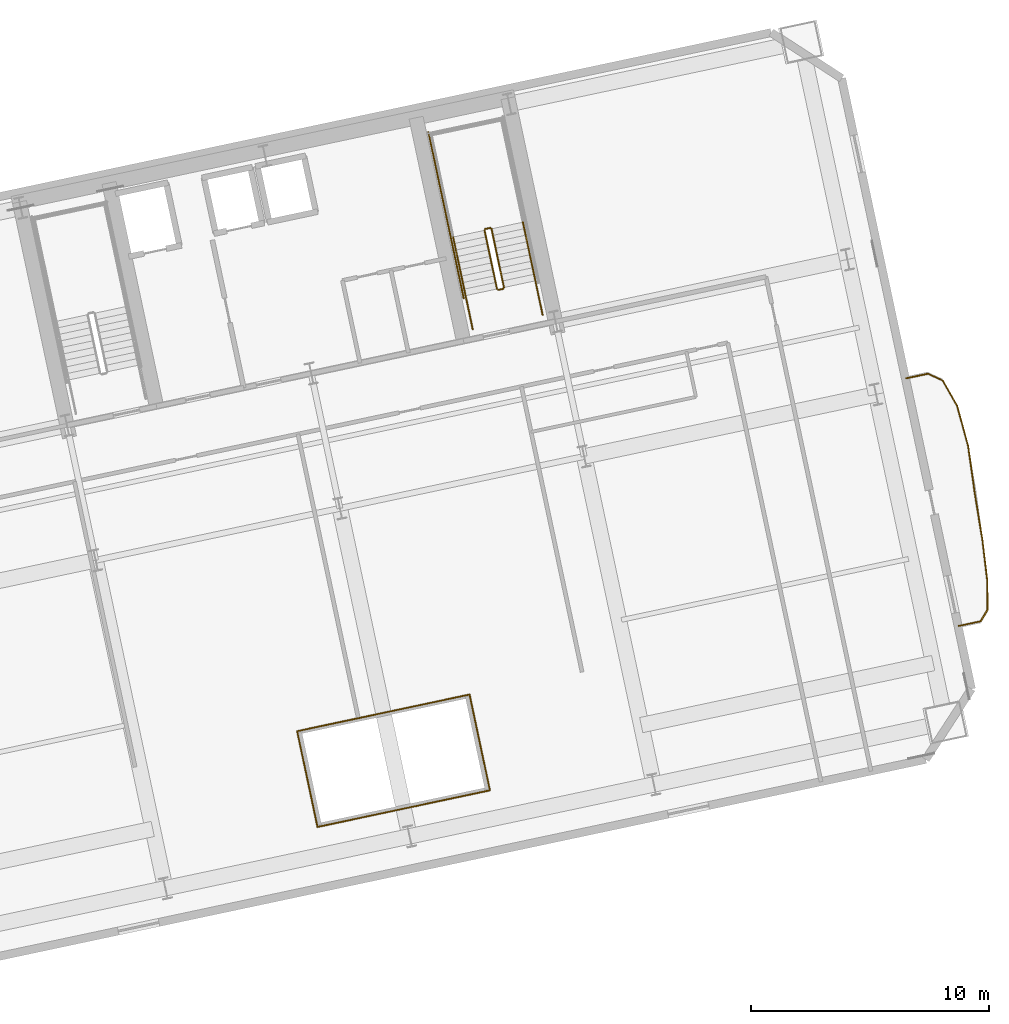
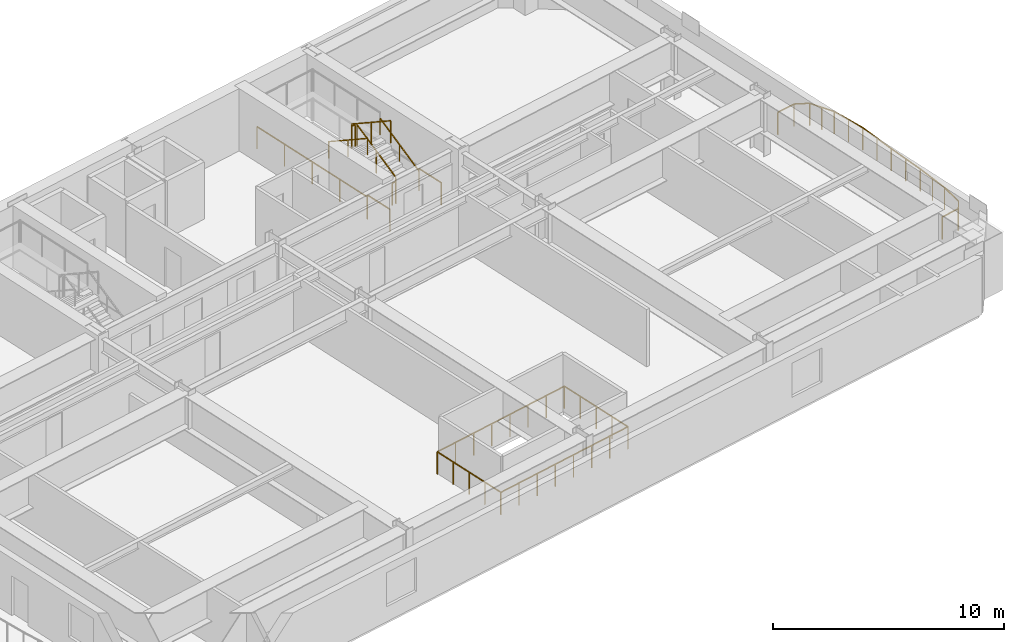
# One storey, part 17 of 18: 23 railings.
"""IFC4 building model written with IfcOpenShell, lengths in metres."""

from ifc_helpers import new_model, si_unit, direction, frame, origin, origin_2d, place, context, subcontext, project, spatial, rectangle, extrude, material, type_object, element, save


model = new_model("IFC4")

# Units and contexts
model_context = context("Model", 3, precision=1e-05, world=origin(), true_north=direction((0.0, 1.0)))
body_context = subcontext(model_context, "Body", "Model", "MODEL_VIEW")
ifc_project = project(units=[si_unit("LENGTHUNIT", "METRE"), si_unit("AREAUNIT", "SQUARE_METRE"), si_unit("VOLUMEUNIT", "CUBIC_METRE"), si_unit("PLANEANGLEUNIT", "RADIAN"), si_unit("MASSUNIT", "GRAM", prefix="KILO")], contexts=[model_context])

# Site, building, storey
site_placement = place(None, origin())
site = spatial("IfcSite", under=ifc_project, at=site_placement, CompositionType="ELEMENT")
building_placement = place(site_placement, origin())
building = spatial("IfcBuilding", under=site, at=building_placement, Name="Haevon Station Towers", CompositionType="ELEMENT")
storey_placement = place(building_placement, frame((0.0, 0.0, 66.89990234375)))
storey = spatial("IfcBuildingStorey", under=building, at=storey_placement, Name="L17", CompositionType="ELEMENT", Elevation=66.89990234375)

# Railings
ifc_material = material(Name="Steel S355", Category="steel")
railing_type_1 = type_object("IfcRailingType", Name="BAL-ATR1200", PredefinedType="BALUSTRADE", material=ifc_material)
railing_1_placement = place(storey_placement, frame((109.28857421875, 20.5556640625, 0.0)))
element("IfcRailing", 1, at=railing_1_placement, inside=storey, type_object=railing_type_1, Name="L17 Atrium Void Balustrade 1", PredefinedType="BALUSTRADE", context=body_context, shape_type="SweptSolid", body=[
    extrude(rectangle(XDim=0.048095703125, YDim=0.048095703125, at=origin_2d()), frame((0.0, 0.0, 1.17578125), z_axis=(0.978143440909, 0.207931260293, 0.0), x_axis=(-0.207931260293, 0.978143440909, 0.0)), (0.0, 0.0, 1.0), 7.409912109375),
    extrude(rectangle(XDim=0.0419921875, YDim=0.0419921875, at=origin_2d()), origin(), (0.0, 0.0, 1.0), 1.15185546875),
    extrude(rectangle(XDim=0.0419921875, YDim=0.0419921875, at=origin_2d()), frame((1.035400390625, 0.22021484375, 0.0)), (0.0, 0.0, 1.0), 1.15185546875),
    extrude(rectangle(XDim=0.0419921875, YDim=0.0419921875, at=origin_2d()), frame((2.07080078125, 0.440185546875, 0.0)), (0.0, 0.0, 1.0), 1.15185546875),
    extrude(rectangle(XDim=0.0419921875, YDim=0.0419921875, at=origin_2d()), frame((3.106201171875, 0.660400390625, 0.0)), (0.0, 0.0, 1.0), 1.15185546875),
    extrude(rectangle(XDim=0.0419921875, YDim=0.0419921875, at=origin_2d()), frame((4.141845703125, 0.88037109375, 0.0)), (0.0, 0.0, 1.0), 1.15185546875),
    extrude(rectangle(XDim=0.0419921875, YDim=0.0419921875, at=origin_2d()), frame((5.17724609375, 1.1005859375, 0.0)), (0.0, 0.0, 1.0), 1.15185546875),
    extrude(rectangle(XDim=0.0419921875, YDim=0.0419921875, at=origin_2d()), frame((6.212646484375, 1.320556640625, 0.0)), (0.0, 0.0, 1.0), 1.15185546875),
    extrude(rectangle(XDim=0.0419921875, YDim=0.0419921875, at=origin_2d()), frame((7.248046875, 1.540771484375, 0.0)), (0.0, 0.0, 1.0), 1.15185546875),
])
railing_2_placement = place(storey_placement, frame((116.53662109375, 22.096435546875, 0.0)))
element("IfcRailing", 2, at=railing_2_placement, inside=storey, type_object=railing_type_1, Name="L17 Atrium Void Balustrade 2", PredefinedType="BALUSTRADE", context=body_context, shape_type="SweptSolid", body=[
    extrude(rectangle(XDim=0.048095703125, YDim=0.048095703125, at=origin_2d()), frame((0.0, 0.0, 1.17578125), z_axis=(-0.207941039024, 0.97814136212, 0.0), x_axis=(-0.97814136212, -0.207941039024, 0.0)), (0.0, 0.0, 1.0), 4.116455078125),
    extrude(rectangle(XDim=0.0419921875, YDim=0.0419921875, at=origin_2d()), origin(), (0.0, 0.0, 1.0), 1.15185546875),
    extrude(rectangle(XDim=0.0419921875, YDim=0.0419921875, at=origin_2d()), frame((-0.2138671875, 1.006591796875, 0.0)), (0.0, 0.0, 1.0), 1.15185546875),
    extrude(rectangle(XDim=0.0419921875, YDim=0.0419921875, at=origin_2d()), frame((-0.427978515625, 2.01318359375, 0.0)), (0.0, 0.0, 1.0), 1.15185546875),
    extrude(rectangle(XDim=0.0419921875, YDim=0.0419921875, at=origin_2d()), frame((-0.64208984375, 3.019775390625, 0.0)), (0.0, 0.0, 1.0), 1.15185546875),
    extrude(rectangle(XDim=0.0419921875, YDim=0.0419921875, at=origin_2d()), frame((-0.85595703125, 4.0263671875, 0.0)), (0.0, 0.0, 1.0), 1.15185546875),
])
railing_3_placement = place(storey_placement, frame((115.6806640625, 26.122802734375, 0.0)))
element("IfcRailing", 3, at=railing_3_placement, inside=storey, type_object=railing_type_1, Name="L17 Atrium Void Balustrade 3", PredefinedType="BALUSTRADE", context=body_context, shape_type="SweptSolid", body=[
    extrude(rectangle(XDim=0.048095703125, YDim=0.048095703125, at=origin_2d()), frame((0.0, 0.0, 1.17578125), z_axis=(-0.978148717371, -0.207906437384, 0.0), x_axis=(0.207906437384, -0.978148717371, 0.0)), (0.0, 0.0, 1.0), 7.40966796875),
    extrude(rectangle(XDim=0.0419921875, YDim=0.0419921875, at=origin_2d()), origin(), (0.0, 0.0, 1.0), 1.15185546875),
    extrude(rectangle(XDim=0.0419921875, YDim=0.0419921875, at=origin_2d()), frame((-1.035400390625, -0.219970703125, 0.0)), (0.0, 0.0, 1.0), 1.15185546875),
    extrude(rectangle(XDim=0.0419921875, YDim=0.0419921875, at=origin_2d()), frame((-2.07080078125, -0.440185546875, 0.0)), (0.0, 0.0, 1.0), 1.15185546875),
    extrude(rectangle(XDim=0.0419921875, YDim=0.0419921875, at=origin_2d()), frame((-3.106201171875, -0.66015625, 0.0)), (0.0, 0.0, 1.0), 1.15185546875),
    extrude(rectangle(XDim=0.0419921875, YDim=0.0419921875, at=origin_2d()), frame((-4.1416015625, -0.88037109375, 0.0)), (0.0, 0.0, 1.0), 1.15185546875),
    extrude(rectangle(XDim=0.0419921875, YDim=0.0419921875, at=origin_2d()), frame((-5.177001953125, -1.100341796875, 0.0)), (0.0, 0.0, 1.0), 1.15185546875),
    extrude(rectangle(XDim=0.0419921875, YDim=0.0419921875, at=origin_2d()), frame((-6.21240234375, -1.320556640625, 0.0)), (0.0, 0.0, 1.0), 1.15185546875),
    extrude(rectangle(XDim=0.0419921875, YDim=0.0419921875, at=origin_2d()), frame((-7.247802734375, -1.54052734375, 0.0)), (0.0, 0.0, 1.0), 1.15185546875),
])
railing_4_placement = place(storey_placement, frame((108.432861328125, 24.582275390625, 0.0)))
element("IfcRailing", 4, at=railing_4_placement, inside=storey, type_object=railing_type_1, Name="L17 Atrium Void Balustrade 4", PredefinedType="BALUSTRADE", context=body_context, shape_type="SweptSolid", body=[
    extrude(rectangle(XDim=0.048095703125, YDim=0.048095703125, at=origin_2d()), frame((0.0, 0.0, 1.17578125), z_axis=(0.207872232727, -0.978155986978, 0.0), x_axis=(0.978155986978, 0.207872232727, 0.0)), (0.0, 0.0, 1.0), 4.116455078125),
    extrude(rectangle(XDim=0.0419921875, YDim=0.0419921875, at=origin_2d()), origin(), (0.0, 0.0, 1.0), 1.15185546875),
    extrude(rectangle(XDim=0.0419921875, YDim=0.0419921875, at=origin_2d()), frame((0.2138671875, -1.006591796875, 0.0)), (0.0, 0.0, 1.0), 1.15185546875),
    extrude(rectangle(XDim=0.0419921875, YDim=0.0419921875, at=origin_2d()), frame((0.427734375, -2.01318359375, 0.0)), (0.0, 0.0, 1.0), 1.15185546875),
    extrude(rectangle(XDim=0.0419921875, YDim=0.0419921875, at=origin_2d()), frame((0.641845703125, -3.02001953125, 0.0)), (0.0, 0.0, 1.0), 1.15185546875),
    extrude(rectangle(XDim=0.0419921875, YDim=0.0419921875, at=origin_2d()), frame((0.855712890625, -4.026611328125, 0.0)), (0.0, 0.0, 1.0), 1.15185546875),
])
railing_type_2 = type_object("IfcRailingType", Name="GRD-EXT1200", PredefinedType="GUARDRAIL", material=ifc_material)
railing_5_placement = place(storey_placement, frame((136.248779296875, 29.0068359375, 0.0)))
element("IfcRailing", 5, at=railing_5_placement, inside=storey, type_object=railing_type_2, Name="L17 Perimeter Guardrail 1", PredefinedType="GUARDRAIL", context=body_context, shape_type="SweptSolid", body=[
    extrude(rectangle(XDim=0.048095703125, YDim=0.048095703125, at=origin_2d()), frame((0.0, 0.0, 1.17578125), z_axis=(0.977684892297, 0.210076774952, 0.0), x_axis=(-0.210076774952, 0.977684892297, 0.0)), (0.0, 0.0, 1.0), 0.943603515625),
    extrude(rectangle(XDim=0.0419921875, YDim=0.0419921875, at=origin_2d()), origin(), (0.0, 0.0, 1.0), 1.15185546875),
    extrude(rectangle(XDim=0.0419921875, YDim=0.0419921875, at=origin_2d()), frame((0.922607421875, 0.1982421875, 0.0)), (0.0, 0.0, 1.0), 1.15185546875),
])
railing_6_placement = place(storey_placement, frame((137.17138671875, 29.205078125, 0.0)))
element("IfcRailing", 6, at=railing_6_placement, inside=storey, type_object=railing_type_2, Name="L17 Perimeter Guardrail 2", PredefinedType="GUARDRAIL", context=body_context, shape_type="SweptSolid", body=[
    extrude(rectangle(XDim=0.048095703125, YDim=0.048095703125, at=origin_2d()), frame((0.0, 0.0, 1.17578125), z_axis=(0.516725234501, 0.856151290386, 0.0), x_axis=(-0.856151290386, 0.516725234501, 0.0)), (0.0, 0.0, 1.0), 0.563232421875),
    extrude(rectangle(XDim=0.0419921875, YDim=0.0419921875, at=origin_2d()), origin(), (0.0, 0.0, 1.0), 1.15185546875),
    extrude(rectangle(XDim=0.0419921875, YDim=0.0419921875, at=origin_2d()), frame((0.291015625, 0.482177734375, 0.0)), (0.0, 0.0, 1.0), 1.15185546875),
])
railing_7_placement = place(storey_placement, frame((137.46240234375, 29.687255859375, 0.0)))
element("IfcRailing", 7, at=railing_7_placement, inside=storey, type_object=railing_type_2, Name="L17 Perimeter Guardrail 3", PredefinedType="GUARDRAIL", context=body_context, shape_type="SweptSolid", body=[
    extrude(rectangle(XDim=0.048095703125, YDim=0.048095703125, at=origin_2d()), frame((0.0, 0.0, 1.17578125), z_axis=(-0.006538478947, 0.999978623918, 0.0), x_axis=(-0.999978623918, -0.006538478947, 0.0)), (0.0, 0.0, 1.0), 1.19482421875),
    extrude(rectangle(XDim=0.0419921875, YDim=0.0419921875, at=origin_2d()), origin(), (0.0, 0.0, 1.0), 1.15185546875),
    extrude(rectangle(XDim=0.0419921875, YDim=0.0419921875, at=origin_2d()), frame((-0.0078125, 1.19482421875, 0.0)), (0.0, 0.0, 1.0), 1.15185546875),
])
railing_8_placement = place(storey_placement, frame((137.45458984375, 30.882080078125, 0.0)))
element("IfcRailing", 8, at=railing_8_placement, inside=storey, type_object=railing_type_2, Name="L17 Perimeter Guardrail 4", PredefinedType="GUARDRAIL", context=body_context, shape_type="SweptSolid", body=[
    extrude(rectangle(XDim=0.048095703125, YDim=0.048095703125, at=origin_2d()), frame((0.0, 0.0, 1.17578125), z_axis=(-0.11880003649, 0.992918199717, 0.0), x_axis=(-0.992918199717, -0.11880003649, 0.0)), (0.0, 0.0, 1.0), 1.757080078125),
    extrude(rectangle(XDim=0.0419921875, YDim=0.0419921875, at=origin_2d()), origin(), (0.0, 0.0, 1.0), 1.15185546875),
    extrude(rectangle(XDim=0.0419921875, YDim=0.0419921875, at=origin_2d()), frame((-0.1044921875, 0.872314453125, 0.0)), (0.0, 0.0, 1.0), 1.15185546875),
    extrude(rectangle(XDim=0.0419921875, YDim=0.0419921875, at=origin_2d()), frame((-0.208740234375, 1.74462890625, 0.0)), (0.0, 0.0, 1.0), 1.15185546875),
])
railing_9_placement = place(storey_placement, frame((137.245849609375, 32.626708984375, 0.0)))
element("IfcRailing", 9, at=railing_9_placement, inside=storey, type_object=railing_type_2, Name="L17 Perimeter Guardrail 5", PredefinedType="GUARDRAIL", context=body_context, shape_type="SweptSolid", body=[
    extrude(rectangle(XDim=0.048095703125, YDim=0.048095703125, at=origin_2d()), frame((0.0, 0.0, 1.17578125), z_axis=(-0.161256217351, 0.986912575847, 0.0), x_axis=(-0.986912575847, -0.161256217351, 0.0)), (0.0, 0.0, 1.0), 1.990966796875),
    extrude(rectangle(XDim=0.0419921875, YDim=0.0419921875, at=origin_2d()), origin(), (0.0, 0.0, 1.0), 1.15185546875),
    extrude(rectangle(XDim=0.0419921875, YDim=0.0419921875, at=origin_2d()), frame((-0.16064453125, 0.982421875, 0.0)), (0.0, 0.0, 1.0), 1.15185546875),
    extrude(rectangle(XDim=0.0419921875, YDim=0.0419921875, at=origin_2d()), frame((-0.321044921875, 1.96484375, 0.0)), (0.0, 0.0, 1.0), 1.15185546875),
])
railing_10_placement = place(storey_placement, frame((136.9248046875, 34.591552734375, 0.0)))
element("IfcRailing", 10, at=railing_10_placement, inside=storey, type_object=railing_type_2, Name="L17 Perimeter Guardrail 6", PredefinedType="GUARDRAIL", context=body_context, shape_type="SweptSolid", body=[
    extrude(rectangle(XDim=0.048095703125, YDim=0.048095703125, at=origin_2d()), frame((0.0, 0.0, 1.17578125), z_axis=(-0.138938126286, 0.990301063851, 0.0), x_axis=(-0.990301063851, -0.138938126286, 0.0)), (0.0, 0.0, 1.0), 1.99609375),
    extrude(rectangle(XDim=0.0419921875, YDim=0.0419921875, at=origin_2d()), origin(), (0.0, 0.0, 1.0), 1.15185546875),
    extrude(rectangle(XDim=0.0419921875, YDim=0.0419921875, at=origin_2d()), frame((-0.138671875, 0.98828125, 0.0)), (0.0, 0.0, 1.0), 1.15185546875),
    extrude(rectangle(XDim=0.0419921875, YDim=0.0419921875, at=origin_2d()), frame((-0.27734375, 1.976806640625, 0.0)), (0.0, 0.0, 1.0), 1.15185546875),
])
railing_11_placement = place(storey_placement, frame((136.6474609375, 36.568359375, 0.0)))
element("IfcRailing", 11, at=railing_11_placement, inside=storey, type_object=railing_type_2, Name="L17 Perimeter Guardrail 7", PredefinedType="GUARDRAIL", context=body_context, shape_type="SweptSolid", body=[
    extrude(rectangle(XDim=0.048095703125, YDim=0.048095703125, at=origin_2d()), frame((0.0, 0.0, 1.17578125), z_axis=(-0.263931339058, 0.964541470473, 0.0), x_axis=(-0.964541470473, -0.263931339058, 0.0)), (0.0, 0.0, 1.0), 1.7509765625),
    extrude(rectangle(XDim=0.0419921875, YDim=0.0419921875, at=origin_2d()), origin(), (0.0, 0.0, 1.0), 1.15185546875),
    extrude(rectangle(XDim=0.0419921875, YDim=0.0419921875, at=origin_2d()), frame((-0.23095703125, 0.844482421875, 0.0)), (0.0, 0.0, 1.0), 1.15185546875),
    extrude(rectangle(XDim=0.0419921875, YDim=0.0419921875, at=origin_2d()), frame((-0.462158203125, 1.68896484375, 0.0)), (0.0, 0.0, 1.0), 1.15185546875),
])
railing_12_placement = place(storey_placement, frame((136.185302734375, 38.25732421875, 0.0)))
element("IfcRailing", 12, at=railing_12_placement, inside=storey, type_object=railing_type_2, Name="L17 Perimeter Guardrail 8", PredefinedType="GUARDRAIL", context=body_context, shape_type="SweptSolid", body=[
    extrude(rectangle(XDim=0.048095703125, YDim=0.048095703125, at=origin_2d()), frame((0.0, 0.0, 1.17578125), z_axis=(-0.494853220755, 0.868976576157, 0.0), x_axis=(-0.868976576157, -0.494853220755, 0.0)), (0.0, 0.0, 1.0), 1.2275390625),
    extrude(rectangle(XDim=0.0419921875, YDim=0.0419921875, at=origin_2d()), origin(), (0.0, 0.0, 1.0), 1.15185546875),
    extrude(rectangle(XDim=0.0419921875, YDim=0.0419921875, at=origin_2d()), frame((-0.3037109375, 0.533203125, 0.0)), (0.0, 0.0, 1.0), 1.15185546875),
    extrude(rectangle(XDim=0.0419921875, YDim=0.0419921875, at=origin_2d()), frame((-0.607421875, 1.066650390625, 0.0)), (0.0, 0.0, 1.0), 1.15185546875),
])
railing_13_placement = place(storey_placement, frame((135.577880859375, 39.323974609375, 0.0)))
element("IfcRailing", 13, at=railing_13_placement, inside=storey, type_object=railing_type_2, Name="L17 Perimeter Guardrail 9", PredefinedType="GUARDRAIL", context=body_context, shape_type="SweptSolid", body=[
    extrude(rectangle(XDim=0.048095703125, YDim=0.048095703125, at=origin_2d()), frame((0.0, 0.0, 1.17578125), z_axis=(-0.906119182037, 0.423022491062, 0.0), x_axis=(-0.423022491062, -0.906119182037, 0.0)), (0.0, 0.0, 1.0), 0.682861328125),
    extrude(rectangle(XDim=0.0419921875, YDim=0.0419921875, at=origin_2d()), origin(), (0.0, 0.0, 1.0), 1.15185546875),
    extrude(rectangle(XDim=0.0419921875, YDim=0.0419921875, at=origin_2d()), frame((-0.61865234375, 0.288818359375, 0.0)), (0.0, 0.0, 1.0), 1.15185546875),
])
railing_14_placement = place(storey_placement, frame((134.959228515625, 39.61279296875, 0.0)))
element("IfcRailing", 14, at=railing_14_placement, inside=storey, type_object=railing_type_2, Name="L17 Perimeter Guardrail 10", PredefinedType="GUARDRAIL", context=body_context, shape_type="SweptSolid", body=[
    extrude(rectangle(XDim=0.048095703125, YDim=0.048095703125, at=origin_2d()), frame((0.0, 0.0, 1.17578125), z_axis=(-0.978560764673, -0.205958320645, 0.0), x_axis=(0.205958320645, -0.978560764673, 0.0)), (0.0, 0.0, 1.0), 0.943603515625),
    extrude(rectangle(XDim=0.0419921875, YDim=0.0419921875, at=origin_2d()), origin(), (0.0, 0.0, 1.0), 1.15185546875),
    extrude(rectangle(XDim=0.0419921875, YDim=0.0419921875, at=origin_2d()), frame((-0.92333984375, -0.1943359375, 0.0)), (0.0, 0.0, 1.0), 1.15185546875),
])
railing_type_3 = type_object("IfcRailingType", Name="GRD-STR1200", PredefinedType="GUARDRAIL", material=ifc_material)
railing_15_placement = place(storey_placement, frame((117.128662109375, 43.23974609375, 0.1650390625)))
element("IfcRailing", 15, at=railing_15_placement, inside=storey, type_object=railing_type_3, Name="L17 ST4 Stair Guard 1", PredefinedType="GUARDRAIL", context=body_context, shape_type="SweptSolid", body=[
    extrude(rectangle(XDim=0.048095703125, YDim=0.048095703125, at=origin_2d()), frame((0.0, 0.0, 1.17578125), z_axis=(-0.179121265225, 0.842687928106, 0.507732831485), x_axis=(-0.978147030254, -0.207914374695, 0.0)), (0.0, 0.0, 1.0), 2.925048828125),
    extrude(rectangle(XDim=0.0419921875, YDim=0.0419921875, at=origin_2d()), origin(), (0.0, 0.0, 1.0), 1.15185546875),
    extrude(rectangle(XDim=0.0419921875, YDim=0.0419921875, at=origin_2d()), frame((-0.261962890625, 1.232421875, 0.74267578125)), (0.0, 0.0, 1.0), 1.15185546875),
    extrude(rectangle(XDim=0.0419921875, YDim=0.0419921875, at=origin_2d()), frame((-0.52392578125, 2.46484375, 1.485107421875)), (0.0, 0.0, 1.0), 1.15185546875),
])
railing_16_placement = place(storey_placement, frame((116.54541015625, 45.7431640625, 1.650146484375)))
element("IfcRailing", 16, at=railing_16_placement, inside=storey, type_object=railing_type_3, Name="L17 ST4 Stair Guard 2", PredefinedType="GUARDRAIL", context=body_context, shape_type="SweptSolid", body=[
    extrude(rectangle(XDim=0.048095703125, YDim=0.048095703125, at=origin_2d()), frame((0.0, 0.0, 1.17578125), z_axis=(-0.97826412705, -0.207362720198, 0.0), x_axis=(0.207362720198, -0.97826412705, 0.0)), (0.0, 0.0, 1.0), 0.2001953125),
    extrude(rectangle(XDim=0.0419921875, YDim=0.0419921875, at=origin_2d()), origin(), (0.0, 0.0, 1.0), 1.15185546875),
    extrude(rectangle(XDim=0.0419921875, YDim=0.0419921875, at=origin_2d()), frame((-0.19580078125, -0.04150390625, 0.0)), (0.0, 0.0, 1.0), 1.15185546875),
])
railing_17_placement = place(storey_placement, frame((116.311279296875, 45.642333984375, 1.815185546875)))
element("IfcRailing", 17, at=railing_17_placement, inside=storey, type_object=railing_type_3, Name="L17 ST4 Stair Guard 6", PredefinedType="GUARDRAIL", context=body_context, shape_type="SweptSolid", body=[
    extrude(rectangle(XDim=0.048095703125, YDim=0.048095703125, at=origin_2d()), frame((0.0, 0.0, 1.17578125), z_axis=(0.179116256339, -0.842747828638, 0.507635168246), x_axis=(0.978151217824, 0.207894673017, 0.0)), (0.0, 0.0, 1.0), 2.925048828125),
    extrude(rectangle(XDim=0.0419921875, YDim=0.0419921875, at=origin_2d()), origin(), (0.0, 0.0, 1.0), 1.15185546875),
    extrude(rectangle(XDim=0.0419921875, YDim=0.0419921875, at=origin_2d()), frame((0.261962890625, -1.232421875, 0.742431640625)), (0.0, 0.0, 1.0), 1.15185546875),
    extrude(rectangle(XDim=0.0419921875, YDim=0.0419921875, at=origin_2d()), frame((0.52392578125, -2.465087890625, 1.48486328125)), (0.0, 0.0, 1.0), 1.15185546875),
])
railing_18_placement = place(storey_placement, frame((117.090087890625, 43.180419921875, 0.0)))
element("IfcRailing", 18, at=railing_18_placement, inside=storey, type_object=railing_type_3, Name="L17 ST4 Stair Guard 7", PredefinedType="GUARDRAIL", context=body_context, shape_type="SweptSolid", body=[
    extrude(rectangle(XDim=0.048095703125, YDim=0.048095703125, at=origin_2d()), frame((0.0, 0.0, 1.17578125), z_axis=(-0.978211583308, -0.207610448392, 0.0), x_axis=(0.207610448392, -0.978211583308, 0.0)), (0.0, 0.0, 1.0), 0.199951171875),
    extrude(rectangle(XDim=0.0419921875, YDim=0.0419921875, at=origin_2d()), origin(), (0.0, 0.0, 1.0), 1.15185546875),
    extrude(rectangle(XDim=0.0419921875, YDim=0.0419921875, at=origin_2d()), frame((-0.195556640625, -0.04150390625, 0.0)), (0.0, 0.0, 1.0), 1.15185546875),
])
for number, where, name in (
    (19, (118.75048828125, 42.10205078125, 0.0), "L17 ST4 Stair Guard 8"),
    (20, (115.816162109375, 41.478271484375, 0.0), "L17 ST4 Stair Guard 9"),
):
    element("IfcRailing", number, at=place(storey_placement, frame(where)), inside=storey, type_object=railing_type_3, Name=name, PredefinedType="GUARDRAIL", context=body_context, shape_type="SweptSolid", body=[
        extrude(rectangle(XDim=0.048095703125, YDim=0.048095703125, at=origin_2d()), frame((0.0, 0.0, 1.17578125), z_axis=(-0.207919161079, 0.978146012851, 0.0), x_axis=(-0.978146012851, -0.207919161079, 0.0)), (0.0, 0.0, 1.0), 1.4501953125),
        extrude(rectangle(XDim=0.0419921875, YDim=0.0419921875, at=origin_2d()), origin(), (0.0, 0.0, 1.0), 1.15185546875),
        extrude(rectangle(XDim=0.0419921875, YDim=0.0419921875, at=origin_2d()), frame((-0.301513671875, 1.41845703125, 0.0)), (0.0, 0.0, 1.0), 1.15185546875),
    ])
railing_19_placement = place(storey_placement, frame((115.4375, 42.778076171875, 0.0)))
element("IfcRailing", 21, at=railing_19_placement, inside=storey, type_object=railing_type_3, Name="L17 ST4 Stair Guard 11", PredefinedType="GUARDRAIL", context=body_context, shape_type="SweptSolid", body=[
    extrude(rectangle(XDim=0.048095703125, YDim=0.048095703125, at=origin_2d()), frame((0.0, 0.0, 1.17578125), z_axis=(-0.207882442208, 0.978153817261, 0.0), x_axis=(-0.978153817261, -0.207882442208, 0.0)), (0.0, 0.0, 1.0), 7.14990234375),
    extrude(rectangle(XDim=0.0419921875, YDim=0.0419921875, at=origin_2d()), origin(), (0.0, 0.0, 1.0), 1.15185546875),
    extrude(rectangle(XDim=0.0419921875, YDim=0.0419921875, at=origin_2d()), frame((-0.37158203125, 1.74853515625, 0.0)), (0.0, 0.0, 1.0), 1.15185546875),
    extrude(rectangle(XDim=0.0419921875, YDim=0.0419921875, at=origin_2d()), frame((-0.7431640625, 3.496826171875, 0.0)), (0.0, 0.0, 1.0), 1.15185546875),
    extrude(rectangle(XDim=0.0419921875, YDim=0.0419921875, at=origin_2d()), frame((-1.11474609375, 5.2451171875, 0.0)), (0.0, 0.0, 1.0), 1.15185546875),
    extrude(rectangle(XDim=0.0419921875, YDim=0.0419921875, at=origin_2d()), frame((-1.486328125, 6.99365234375, 0.0)), (0.0, 0.0, 1.0), 1.15185546875),
])
railing_type_4 = type_object("IfcRailingType", Name="HND-STR900", PredefinedType="HANDRAIL", material=ifc_material)
railing_20_placement = place(storey_placement, frame((118.448974609375, 43.5205078125, 0.1650390625)))
element("IfcRailing", 22, at=railing_20_placement, inside=storey, type_object=railing_type_4, Name="L17 ST4 Stair Handrail 1", PredefinedType="HANDRAIL", context=body_context, shape_type="SweptSolid", body=[
    extrude(rectangle(XDim=0.048095703125, YDim=0.048095703125, at=origin_2d()), frame((0.0, 0.0, 0.8759765625), z_axis=(-0.179121265225, 0.842687928106, 0.507732831485), x_axis=(-0.978147030254, -0.207914374695, 0.0)), (0.0, 0.0, 1.0), 2.925048828125),
    extrude(rectangle(XDim=0.0419921875, YDim=0.0419921875, at=origin_2d()), origin(), (0.0, 0.0, 1.0), 0.851806640625),
    extrude(rectangle(XDim=0.0419921875, YDim=0.0419921875, at=origin_2d()), frame((-0.261962890625, 1.232421875, 0.74267578125)), (0.0, 0.0, 1.0), 0.851806640625),
    extrude(rectangle(XDim=0.0419921875, YDim=0.0419921875, at=origin_2d()), frame((-0.52392578125, 2.46484375, 1.485107421875)), (0.0, 0.0, 1.0), 0.851806640625),
])
railing_21_placement = place(storey_placement, frame((114.99072265625, 45.361572265625, 1.815185546875)))
element("IfcRailing", 23, at=railing_21_placement, inside=storey, type_object=railing_type_4, Name="L17 ST4 Stair Handrail 2", PredefinedType="HANDRAIL", context=body_context, shape_type="SweptSolid", body=[
    extrude(rectangle(XDim=0.048095703125, YDim=0.048095703125, at=origin_2d()), frame((0.0, 0.0, 0.8759765625), z_axis=(0.179128856099, -0.842723639875, 0.507670877349), x_axis=(0.978147030254, 0.207914374695, 0.0)), (0.0, 0.0, 1.0), 2.9248046875),
    extrude(rectangle(XDim=0.0419921875, YDim=0.0419921875, at=origin_2d()), origin(), (0.0, 0.0, 1.0), 0.851806640625),
    extrude(rectangle(XDim=0.0419921875, YDim=0.0419921875, at=origin_2d()), frame((0.261962890625, -1.232421875, 0.742431640625)), (0.0, 0.0, 1.0), 0.851806640625),
    extrude(rectangle(XDim=0.0419921875, YDim=0.0419921875, at=origin_2d()), frame((0.52392578125, -2.46484375, 1.48486328125)), (0.0, 0.0, 1.0), 0.851806640625),
])

save(model, "model.ifc")
